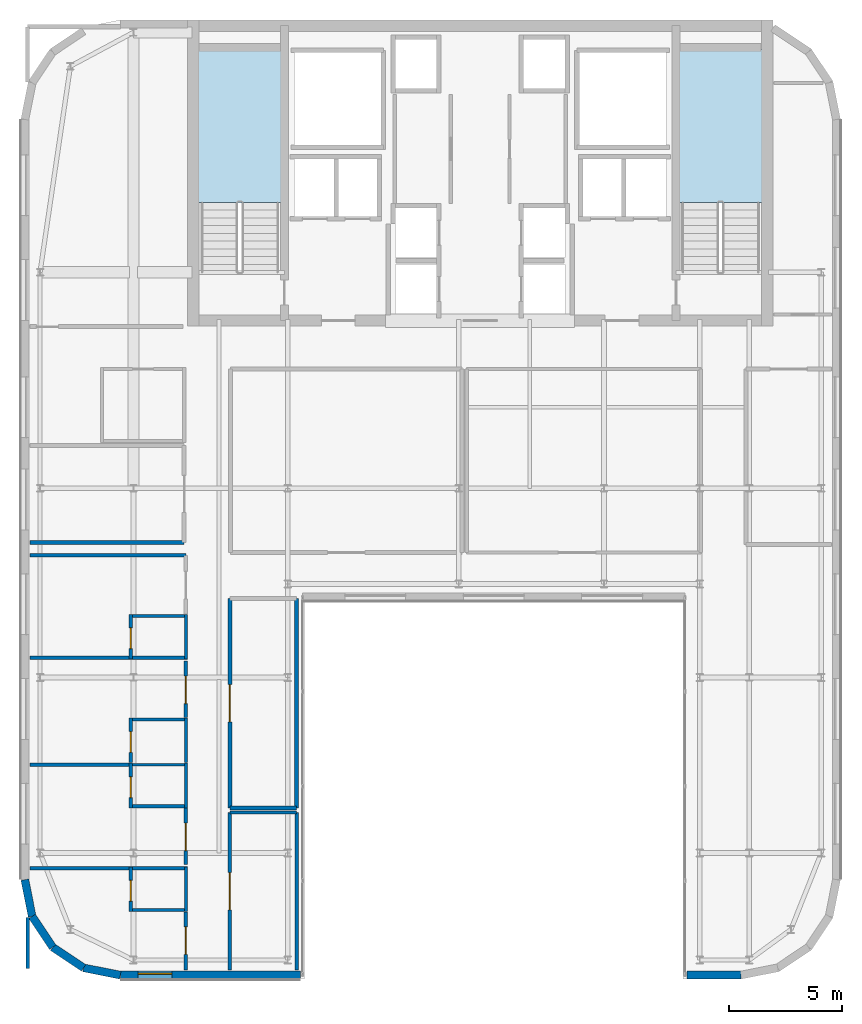
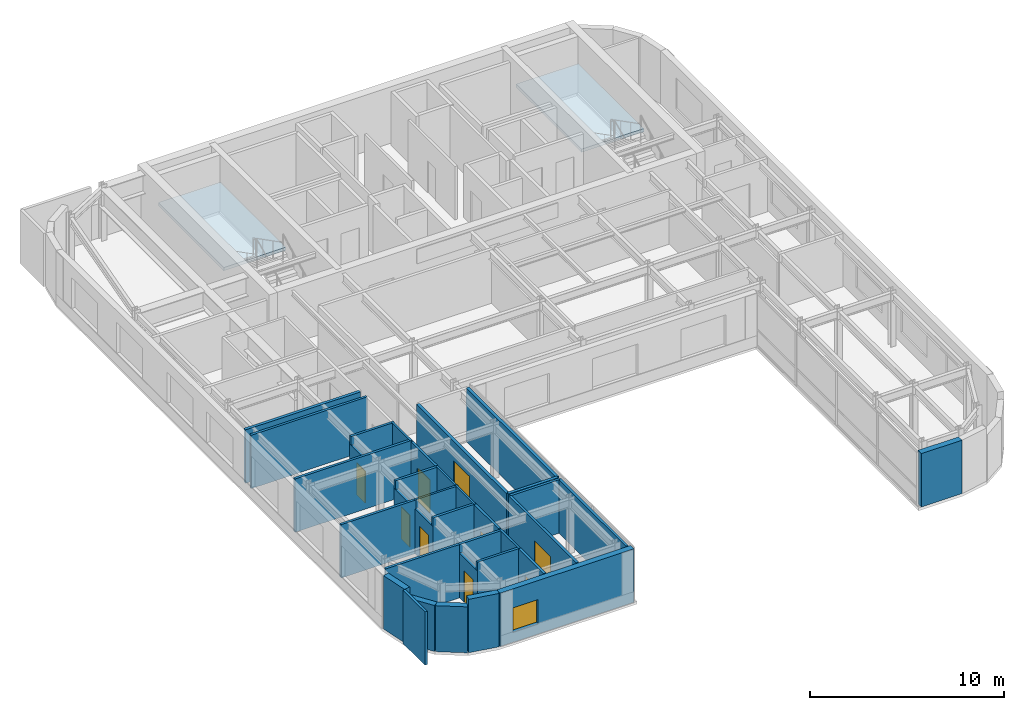
# One storey, part 13 of 20: 35 walls, 9 doors, 2 slabs, 1 window, 10 openings, 2 elements without a shape of their own.
"""IFC4 building model written with IfcOpenShell, lengths in metres."""

import ifcopenshell
import ifcopenshell.guid

model = None  # the IFC model being written
_history = None  # IfcOwnerHistory: only IFC2X3 demands one
_inside = {}  # id of a spatial element -> (the spatial element, [elements in it])
_under = {}  # id of a project, library or spatial element -> (it, [spatial elements below it])
_declared = {}  # id of a project -> (the project, [libraries it declares])
_typed = {}  # id of a type object -> (the type object, [elements of that type])
_made_of = {}  # id of a material, layer set ... -> (it, [elements and type objects made of it])


def new_model(schema):
    """Start an empty IFC model of exactly this schema.

    Asked for "IFC4X3", IfcOpenShell would pick the latest addendum, in which some entities
    have other attributes; the version numbers below select the first issue.
    IFC2X3 requires an IfcOwnerHistory on every rooted entity: one is made here for all.
    """
    global model, _history
    if schema == "IFC4X3":
        model = ifcopenshell.file(schema_version=(4, 3, 0, 0))
    else:
        model = ifcopenshell.file(schema=schema)
    _inside.clear()
    _under.clear()
    _declared.clear()
    _typed.clear()
    _made_of.clear()
    _history = None
    if model.schema == "IFC2X3":
        org = make("IfcOrganization", Name="unknown")
        user = make(
            "IfcPersonAndOrganization",
            ThePerson=make("IfcPerson", FamilyName="unknown"),
            TheOrganization=org,
        )
        app = make(
            "IfcApplication",
            ApplicationDeveloper=org,
            Version="unknown",
            ApplicationFullName="unknown",
            ApplicationIdentifier="unknown",
        )
        _history = make(
            "IfcOwnerHistory",
            OwningUser=user,
            OwningApplication=app,
            ChangeAction="ADDED",
            CreationDate=0,
        )
    return model


def make(cls, **values):
    """One entity of the class cls with the attributes given. An attribute that is None is left unset."""
    return model.create_entity(
        cls, **{name: value for name, value in values.items() if value is not None}
    )


def rooted(cls, **values):
    """An entity with a GlobalId (a new one), such as an element, a storey or a relation."""
    return make(cls, GlobalId=ifcopenshell.guid.new(), OwnerHistory=_history, **values)


def si_unit(unit_type, name, prefix=None):
    """IfcSIUnit, for example si_unit("LENGTHUNIT", "METRE", prefix="MILLI")."""
    return make("IfcSIUnit", UnitType=unit_type, Prefix=prefix, Name=name)


def assignment(units):
    """IfcUnitAssignment: the units of a project."""
    return None if units is None else make("IfcUnitAssignment", Units=units)


def point(xyz):
    """IfcCartesianPoint."""
    return None if xyz is None else make("IfcCartesianPoint", Coordinates=xyz)


def direction(xyz):
    """IfcDirection."""
    return None if xyz is None else make("IfcDirection", DirectionRatios=xyz)


def frame(location, z_axis=None, x_axis=None):
    """IfcAxis2Placement3D, a coordinate frame: its origin and axes. An axis left out is left unset."""
    return make(
        "IfcAxis2Placement3D",
        Location=point(location),
        Axis=direction(z_axis),
        RefDirection=direction(x_axis),
    )


def frame_2d(location, x_axis=None):
    """IfcAxis2Placement2D, a coordinate frame in the plane: its origin and x axis."""
    return make(
        "IfcAxis2Placement2D", Location=point(location), RefDirection=direction(x_axis)
    )


def origin():
    """The frame at (0, 0, 0) with its axes left unset."""
    return frame((0.0, 0.0, 0.0))


def place(relative_to, where):
    """IfcLocalPlacement: puts the frame where relative to a parent placement (None: the world)."""
    return make(
        "IfcLocalPlacement", PlacementRelTo=relative_to, RelativePlacement=where
    )


def context(
    kind, dimensions, precision=None, world=None, true_north=None, identifier=None
):
    """IfcGeometricRepresentationContext, for example the 3D "Model" context."""
    return make(
        "IfcGeometricRepresentationContext",
        ContextIdentifier=identifier,
        ContextType=kind,
        CoordinateSpaceDimension=dimensions,
        Precision=precision,
        WorldCoordinateSystem=world,
        TrueNorth=true_north,
    )


def subcontext(parent, identifier, kind, view, scale=None):
    """IfcGeometricRepresentationSubContext, for example "Body" below "Model"."""
    return make(
        "IfcGeometricRepresentationSubContext",
        ContextIdentifier=identifier,
        ContextType=kind,
        ParentContext=parent,
        TargetScale=scale,
        TargetView=view,
    )


def project(units=None, contexts=None):
    """IfcProject with its units and contexts."""
    return rooted(
        "IfcProject",
        Name="project",
        RepresentationContexts=contexts,
        UnitsInContext=assignment(units),
    )


def spatial(cls, under=None, at=None, **own):
    """A site, building, storey or space (cls), placed at a placement, below another one or the project."""
    s = rooted(cls, ObjectPlacement=at, **own)
    if under is not None:
        _under.setdefault(under.id(), (under, []))[1].append(s)
    return s


def polyline(points):
    """IfcPolyline through the points."""
    return make("IfcPolyline", Points=[point(p) for p in points])


def profile(cls, at=None, kind="AREA", **sizes):
    """A parametric profile (cls). Its sizes go by their IFC names, for example OverallWidth=200.0."""
    return make(cls, ProfileType=kind, Position=at, **sizes)


def rectangle(**sizes):
    """IfcRectangleProfileDef."""
    return profile("IfcRectangleProfileDef", **sizes)


def outline(outer, holes=None, kind="AREA"):
    """IfcArbitraryClosedProfileDef: a profile drawn as a closed curve; with holes, ...WithVoids."""
    if holes is None:
        return make("IfcArbitraryClosedProfileDef", ProfileType=kind, OuterCurve=outer)
    return make(
        "IfcArbitraryProfileDefWithVoids",
        ProfileType=kind,
        OuterCurve=outer,
        InnerCurves=holes,
    )


def extrude(swept, where, along, depth):
    """IfcExtrudedAreaSolid: the profile swept, set in the frame where, extruded along a direction by depth."""
    return make(
        "IfcExtrudedAreaSolid",
        SweptArea=swept,
        Position=where,
        ExtrudedDirection=direction(along),
        Depth=depth,
    )


def shape(context_of_items, identifier, shape_type, items):
    """IfcShapeRepresentation: the items that make up one representation, for example the "Body"."""
    return make(
        "IfcShapeRepresentation",
        ContextOfItems=context_of_items,
        RepresentationIdentifier=identifier,
        RepresentationType=shape_type,
        Items=items,
    )


def source(mapping_origin, context_of_items, identifier, shape_type, items):
    """IfcRepresentationMap: a shape defined once, which mapped items show again and again."""
    return make(
        "IfcRepresentationMap",
        MappingOrigin=mapping_origin,
        MappedRepresentation=shape(context_of_items, identifier, shape_type, items),
    )


def transform(
    local_origin,
    x_axis=None,
    y_axis=None,
    z_axis=None,
    scale=None,
    scale2=None,
    scale3=None,
    uniform=True,
):
    """IfcCartesianTransformationOperator3D, or its non-uniform kind. x_axis, y_axis, z_axis: its Axis1, 2, 3."""
    if uniform:
        return make(
            "IfcCartesianTransformationOperator3D",
            Axis1=direction(x_axis),
            Axis2=direction(y_axis),
            LocalOrigin=point(local_origin),
            Scale=scale,
            Axis3=direction(z_axis),
        )
    return make(
        "IfcCartesianTransformationOperator3DnonUniform",
        Axis1=direction(x_axis),
        Axis2=direction(y_axis),
        LocalOrigin=point(local_origin),
        Scale=scale,
        Axis3=direction(z_axis),
        Scale2=scale2,
        Scale3=scale3,
    )


def mapped(mapping_source, mapping_target):
    """IfcMappedItem: shows the shape of a source again, moved by a transform."""
    return make(
        "IfcMappedItem", MappingSource=mapping_source, MappingTarget=mapping_target
    )


def material(Name=None, Category=None):
    """IfcMaterial."""
    return make("IfcMaterial", Name=Name, Category=Category)


def layer(
    of_material, thickness, ventilated=None, Name=None, Category=None, Priority=None
):
    """IfcMaterialLayer: one layer of a wall or slab, of a material (None: an air gap)."""
    return make(
        "IfcMaterialLayer",
        Material=of_material,
        LayerThickness=thickness,
        IsVentilated=ventilated,
        Name=Name,
        Category=Category,
        Priority=Priority,
    )


def layer_set(layers, Name=None):
    """IfcMaterialLayerSet."""
    return make("IfcMaterialLayerSet", MaterialLayers=layers, LayerSetName=Name)


def made_of(thing, what):
    """Note that an element or type object is made of a material, layer set ...; save() writes the relation."""
    if what is not None:
        _made_of.setdefault(what.id(), (what, []))[1].append(thing)
    return thing


def type_object(cls, material=None, **own):
    """A type object (cls), such as IfcWallType, which elements share."""
    return made_of(rooted(cls, **own), material)


def type_shapes(of_type, sources):
    """Give a type object the sources (RepresentationMaps) that its elements show as mapped items."""
    of_type.RepresentationMaps = sources


def element(
    cls,
    number,
    at=None,
    inside=None,
    cuts=None,
    type_object=None,
    material=None,
    context=None,
    identifier="Body",
    shape_type=None,
    held_by="IfcProductDefinitionShape",
    body=None,
    shapes=None,
    **own,
):
    """One element of the class cls, such as IfcWall. Its Tag is "e" and its number.

    at: its placement. inside: the storey or other place that contains it. cuts: it is an
    opening in that element (IfcRelVoidsElement). A single representation is given by context,
    identifier, shape_type and body (its items); several are given by shapes. held_by: the class
    of the entity that holds the representations. save() writes the other relations.
    """
    e = rooted(cls, Tag="e%d" % number, ObjectPlacement=at, **own)
    if body is not None:
        shapes = [shape(context, identifier, shape_type, body)]
    if shapes is not None:
        e.Representation = make(held_by, Representations=shapes)
    if inside is not None:
        _inside.setdefault(inside.id(), (inside, []))[1].append(e)
    if cuts is not None:
        rooted(
            "IfcRelVoidsElement", RelatingBuildingElement=cuts, RelatedOpeningElement=e
        )
    if type_object is not None:
        _typed.setdefault(type_object.id(), (type_object, []))[1].append(e)
    return made_of(e, material)


def fill(opening, filler):
    """IfcRelFillsElement: the door or window that sits in an opening."""
    return rooted(
        "IfcRelFillsElement",
        RelatingOpeningElement=opening,
        RelatedBuildingElement=filler,
    )


def aggregate(whole, parts):
    """IfcRelAggregates: a whole, such as a stair, and the parts it consists of."""
    return rooted("IfcRelAggregates", RelatingObject=whole, RelatedObjects=parts)


def save(model, path):
    """Write the relations noted so far, then the file.

    IfcRelAggregates (storeys below a building ...), IfcRelContainedInSpatialStructure (elements
    in a storey), IfcRelDefinesByType, IfcRelAssociatesMaterial and IfcRelDeclares: one each for
    every whole, place, type object, material and project.
    """
    for whole, parts in _under.values():
        aggregate(whole, parts)
    for where, things in _inside.values():
        rooted(
            "IfcRelContainedInSpatialStructure",
            RelatedElements=things,
            RelatingStructure=where,
        )
    for kind, things in _typed.values():
        rooted("IfcRelDefinesByType", RelatedObjects=things, RelatingType=kind)
    for what, things in _made_of.values():
        rooted("IfcRelAssociatesMaterial", RelatedObjects=things, RelatingMaterial=what)
    for by, libraries in _declared.values():
        rooted("IfcRelDeclares", RelatingContext=by, RelatedDefinitions=libraries)
    model.write(path)


model = new_model("IFC4")

# Units and contexts
model_context = context("Model", 3, precision=1e-05, world=origin(), true_north=direction((0.0, 1.0)))
body_context = subcontext(model_context, "Body", "Model", "MODEL_VIEW")
ifc_project = project(units=[si_unit("LENGTHUNIT", "METRE"), si_unit("AREAUNIT", "SQUARE_METRE"), si_unit("VOLUMEUNIT", "CUBIC_METRE"), si_unit("PLANEANGLEUNIT", "RADIAN"), si_unit("MASSUNIT", "GRAM", prefix="KILO")], contexts=[model_context])

# Site, building, storey
site_placement = place(None, origin())
site = spatial("IfcSite", under=ifc_project, at=site_placement, CompositionType="ELEMENT")
building_placement = place(site_placement, origin())
building = spatial("IfcBuilding", under=site, at=building_placement, Name="Tolvann Quenvar Hotel", CompositionType="ELEMENT")
storey_placement = place(building_placement, frame((0.0, 0.0, 248.75)))
storey = spatial("IfcBuildingStorey", under=building, at=storey_placement, Name="L66", CompositionType="ELEMENT", Elevation=248.75)

# Stair, slab
ifc_material_1 = material(Name="Concrete N40 (40 MPa)", Category="concrete")
stair_type = type_object("IfcStairType", Name="STAIR", PredefinedType="HALF_TURN_STAIR", material=ifc_material_1)
stair_1_placement = place(storey_placement, origin())
stair_1 = element("IfcStair", 1, at=stair_1_placement, inside=storey, type_object=stair_type, Name="L66 ST-C1", PredefinedType="HALF_TURN_STAIR")
ifc_layer_1 = layer(ifc_material_1, 0.199951171875)
ifc_layer_set_1 = layer_set([ifc_layer_1], Name="Concrete N40 (40 MPa)")
slab_type = type_object("IfcSlabType", Name="SLAB_LANDING", PredefinedType="LANDING", material=ifc_layer_set_1)
slab_1_placement = place(storey_placement, frame((0.0, 0.0, 1.574951171875)))
slab_1 = element("IfcSlab", 2, at=slab_1_placement, type_object=slab_type, Name="ST-C1 landing 1", PredefinedType="LANDING", context=body_context, shape_type="SweptSolid", body=[
    extrude(outline(polyline([(14.179931640625, 37.10498046875), (14.179931640625, 43.8798828125), (10.469970703125, 43.8798828125), (10.469970703125, 37.10498046875), (14.179931640625, 37.10498046875)])), origin(), (0.0, 0.0, 1.0), 0.199951171875),
])
aggregate(stair_1, [slab_1])

stair_2_placement = place(storey_placement, origin())
stair_2 = element("IfcStair", 3, at=stair_2_placement, inside=storey, type_object=stair_type, Name="L66 ST-C2", PredefinedType="HALF_TURN_STAIR")
slab_2_placement = place(storey_placement, frame((0.0, 0.0, 1.574951171875)))
slab_2 = element("IfcSlab", 4, at=slab_2_placement, type_object=slab_type, Name="ST-C2 landing 1", PredefinedType="LANDING", context=body_context, shape_type="SweptSolid", body=[
    extrude(outline(polyline([(35.530029296875, 37.10498046875), (35.530029296875, 43.8798828125), (31.820068359375, 43.8798828125), (31.820068359375, 37.10498046875), (35.530029296875, 37.10498046875)])), origin(), (0.0, 0.0, 1.0), 0.199951171875),
])
aggregate(stair_2, [slab_2])

# Walls
ifc_material_2 = material(Name="Kiln-fired red and buff architectural clay brickwork and terracotta masonry", Category="masonry")
ifc_layer_2 = layer(ifc_material_2, 0.35009765625)
ifc_layer_set_2 = layer_set([ifc_layer_2], Name="Kiln-fired red and buff architectural clay brickwork and terracotta masonry")
wall_type_1 = type_object("IfcWallType", Name="WALL_EXT_BRICK_350", PredefinedType="SOLIDWALL", material=ifc_layer_set_2)
for number, where, z_axis, x_axis, name in (
    (5, (3.099609375, 5.384521484375, 0.0), (0.0, 0.0, 1.0), (0.555623290322, -0.831434158098, 0.0), "Exterior Chicago Brick Wall L66-E01"),
    (6, (4.014892578125, 4.014892578125, 0.0), (0.0, 0.0, 1.0), (0.831434158098, -0.555623290322, 0.0), "Exterior Chicago Brick Wall L66-E02"),
):
    element("IfcWall", number, at=place(storey_placement, frame(where, z_axis=z_axis, x_axis=x_axis)), inside=storey, type_object=wall_type_1, Name=name, PredefinedType="SOLIDWALL", context=body_context, shape_type="SweptSolid", body=[
        extrude(rectangle(XDim=1.647216796875, YDim=0.35009765625, at=frame_2d((0.82373046875, 0.0))), origin(), (0.0, 0.0, 1.0), 2.89990234375),
    ])
wall_1_placement = place(storey_placement, frame((5.384521484375, 3.099609375, 0.0), z_axis=(0.0, 0.0, 1.0), x_axis=(0.980788844421, -0.195072403631, 0.0)))
element("IfcWall", 7, at=wall_1_placement, inside=storey, type_object=wall_type_1, Name="Exterior Chicago Brick Wall L66-E03", PredefinedType="SOLIDWALL", context=body_context, shape_type="SweptSolid", body=[
    extrude(rectangle(XDim=1.66455078125, YDim=0.35009765625, at=frame_2d((0.832275390625, 0.0))), origin(), (0.0, 0.0, 1.0), 3.3701171875),
])

# Wall, opening, window
wall_2_placement = place(storey_placement, frame((7.01708984375, 2.77490234375, 0.0), z_axis=(0.0, 0.0, 1.0), x_axis=(1.0, 0.0, 0.0)))
wall_2 = element("IfcWall", 8, at=wall_2_placement, inside=storey, type_object=wall_type_1, Name="Exterior Chicago Brick Wall L66-E04", PredefinedType="SOLIDWALL", context=body_context, shape_type="SweptSolid", body=[
    extrude(rectangle(XDim=8.0078125, YDim=0.35009765625, at=frame_2d((4.00390625, 0.0))), origin(), (0.0, 0.0, 1.0), 3.3701171875),
])
opening_1_placement = place(wall_2_placement, frame((0.791015625, 0.0, 0.6201171875)))
opening_1 = element("IfcOpeningElement", 9, at=opening_1_placement, cuts=wall_2, Name="Opening W-08", PredefinedType="OPENING", context=body_context, shape_type="SweptSolid", body=[
    extrude(rectangle(XDim=1.5, YDim=1.550048828125, at=frame_2d((0.75, 0.77490234375))), frame((0.0, 0.18505859375, 0.0), z_axis=(0.0, -1.0, 0.0), x_axis=(1.0, 0.0, 0.0)), (0.0, 0.0, 1.0), 0.3701171875),
])
ifc_material_3 = material(Name="Thermally broken bronze-anodised aluminium frame with double low-E glazing", Category="aluminium")
window_type = type_object("IfcWindowType", Name="WIN_COR_1500x2050", PartitioningType="SINGLE_PANEL", PredefinedType="WINDOW", material=ifc_material_3)
shared_shape_1 = source(origin(), body_context, "Body", "SweptSolid", [
    extrude(rectangle(XDim=1.5, YDim=1.550048828125, at=frame_2d((0.75, 0.77490234375))), frame((0.0, 0.090087890625, 0.0), z_axis=(0.0, -1.0, 0.0), x_axis=(1.0, 0.0, 0.0)), (0.0, 0.0, 1.0), 0.06005859375),
])
type_shapes(window_type, [shared_shape_1])
window_placement = place(opening_1_placement, origin())
window = element("IfcWindow", 10, at=window_placement, inside=storey, type_object=window_type, Name="Chicago Window W-08 (EW-L66-E04-WD01)", OverallHeight=1.550048828125, OverallWidth=1.5, PartitioningType="SINGLE_PANEL", PredefinedType="WINDOW", context=body_context, shape_type="MappedRepresentation", body=[
    mapped(shared_shape_1, transform((0.0, 0.0, 0.0), x_axis=(1.0, 0.0, 0.0), y_axis=(0.0, 1.0, 0.0), z_axis=(0.0, 0.0, 1.0), scale=1.0)),
])
fill(opening_1, window)

# Walls
wall_3_placement = place(storey_placement, frame((32.175048828125, 2.77490234375, 0.0), z_axis=(0.0, 0.0, 1.0), x_axis=(1.0, 0.0, 0.0)))
element("IfcWall", 11, at=wall_3_placement, inside=storey, type_object=wall_type_1, Name="Exterior Chicago Brick Wall L66-E08", PredefinedType="SOLIDWALL", context=body_context, shape_type="SweptSolid", body=[
    extrude(rectangle(XDim=2.40771484375, YDim=0.35009765625, at=frame_2d((1.203857421875, 0.0))), origin(), (0.0, 0.0, 1.0), 3.3701171875),
])
wall_4_placement = place(storey_placement, frame((2.77490234375, 7.01708984375, 0.0), z_axis=(0.0, 0.0, 1.0), x_axis=(0.195072403631, -0.980788844421, 0.0)))
element("IfcWall", 12, at=wall_4_placement, inside=storey, type_object=wall_type_1, Name="Exterior Chicago Brick Wall L66-E24", PredefinedType="SOLIDWALL", context=body_context, shape_type="SweptSolid", body=[
    extrude(rectangle(XDim=1.66455078125, YDim=0.35009765625, at=frame_2d((0.832275390625, 0.0))), origin(), (0.0, 0.0, 1.0), 3.3701171875),
])
ifc_material_4 = material(Name="Acoustic twin-stud fire-rated gypsum plasterboard partition")
ifc_layer_3 = layer(ifc_material_4, 0.179931640625)
ifc_layer_set_3 = layer_set([ifc_layer_3], Name="Acoustic twin-stud fire-rated gypsum plasterboard partition")
wall_type_2 = type_object("IfcWallType", Name="WALL_PART_ACOUSTIC_180", PredefinedType="PARTITIONING", material=ifc_layer_set_3)
wall_5_placement = place(storey_placement, frame((11.8798828125, 10.199951171875, 0.0), z_axis=(0.0, 0.0, 1.0), x_axis=(1.0, 0.0, 0.0)))
element("IfcWall", 13, at=wall_5_placement, inside=storey, type_object=wall_type_2, Name="Interior Partition PT-SPC-L66-POVL-S", PredefinedType="PARTITIONING", context=body_context, shape_type="SweptSolid", body=[
    extrude(rectangle(XDim=2.97021484375, YDim=0.179931640625, at=frame_2d((1.485107421875, 0.0))), origin(), (0.0, 0.0, 1.0), 3.3701171875),
])

# Wall, opening, door
wall_6_placement = place(storey_placement, frame((11.8798828125, 10.199951171875, 0.0), z_axis=(0.0, 0.0, 1.0), x_axis=(0.0, 1.0, 0.0)))
wall_6 = element("IfcWall", 14, at=wall_6_placement, inside=storey, type_object=wall_type_2, Name="Interior Partition PT-SPC-L66-POVL-W", PredefinedType="PARTITIONING", context=body_context, shape_type="SweptSolid", body=[
    extrude(rectangle(XDim=9.300048828125, YDim=0.179931640625, at=frame_2d((4.64990234375, 0.0))), origin(), (0.0, 0.0, 1.0), 3.3701171875),
])
opening_2_placement = place(wall_6_placement, frame((3.824951171875, 0.0, 0.0)))
opening_2 = element("IfcOpeningElement", 15, at=opening_2_placement, cuts=wall_6, Name="Opening AD-01", PredefinedType="OPENING", context=body_context, shape_type="SweptSolid", body=[
    extrude(rectangle(XDim=1.64990234375, YDim=2.14990234375, at=frame_2d((0.824951171875, 1.074951171875))), frame((0.0, 0.10009765625, 0.0), z_axis=(0.0, -1.0, 0.0), x_axis=(1.0, 0.0, 0.0)), (0.0, 0.0, 1.0), 0.199951171875),
])
ifc_material_5 = material(Name="Solid-core American oak acoustic fire door leaf in steel frame", Category="steel")
door_type_1 = type_object("IfcDoorType", Name="DOOR_SALON_1650", OperationType="NOTDEFINED", PredefinedType="DOOR", material=ifc_material_5)
shared_shape_2 = source(origin(), body_context, "Body", "SweptSolid", [
    extrude(rectangle(XDim=1.64990234375, YDim=2.14990234375, at=frame_2d((0.824951171875, 1.074951171875))), frame((0.0, 0.02490234375, 0.0), z_axis=(0.0, -1.0, 0.0), x_axis=(1.0, 0.0, 0.0)), (0.0, 0.0, 1.0), 0.050048828125),
])
type_shapes(door_type_1, [shared_shape_2])
door_1_placement = place(opening_2_placement, origin())
door_1 = element("IfcDoor", 16, at=door_1_placement, inside=storey, type_object=door_type_1, Name="Interior Door DOOR-SPC-L66-POVL", OperationType="DOUBLE_DOOR_SINGLE_SWING", OverallHeight=2.14990234375, OverallWidth=1.64990234375, PredefinedType="DOOR", context=body_context, shape_type="MappedRepresentation", body=[
    mapped(shared_shape_2, transform((0.0, 0.0, 0.0), x_axis=(1.0, 0.0, 0.0), y_axis=(0.0, 1.0, 0.0), z_axis=(0.0, 0.0, 1.0), scale=1.0)),
])
fill(opening_2, door_1)

# Walls
wall_7_placement = place(storey_placement, frame((14.85009765625, 10.199951171875, 0.0), z_axis=(0.0, 0.0, 1.0), x_axis=(0.0, 1.0, 0.0)))
element("IfcWall", 17, at=wall_7_placement, inside=storey, type_object=wall_type_2, Name="Interior Partition PT-SPC-L66-POVL-E", PredefinedType="PARTITIONING", context=body_context, shape_type="SweptSolid", body=[
    extrude(rectangle(XDim=9.300048828125, YDim=0.179931640625, at=frame_2d((4.64990234375, 0.0))), origin(), (0.0, 0.0, 1.0), 3.3701171875),
])
wall_8_placement = place(storey_placement, frame((3.0048828125, 22.0, 0.0), z_axis=(0.0, 0.0, 1.0), x_axis=(1.0, 0.0, 0.0)))
element("IfcWall", 18, at=wall_8_placement, inside=storey, type_object=wall_type_2, Name="Interior Partition PT-SPC-L66-WCLNG-S", PredefinedType="PARTITIONING", context=body_context, shape_type="SweptSolid", body=[
    extrude(rectangle(XDim=6.84521484375, YDim=0.179931640625, at=frame_2d((3.422607421875, 0.0))), origin(), (0.0, 0.0, 1.0), 3.3701171875),
])
ifc_material_6 = material(Name="Moisture-resistant acoustic plumbing wall assembly")
ifc_layer_4 = layer(ifc_material_6, 0.1201171875)
ifc_layer_set_4 = layer_set([ifc_layer_4], Name="Moisture-resistant acoustic plumbing wall assembly")
wall_type_3 = type_object("IfcWallType", Name="WALL_PART_BATH_120", PredefinedType="PLUMBINGWALL", material=ifc_layer_set_4)
wall_9_placement = place(storey_placement, frame((9.929931640625, 5.60009765625, 0.0), z_axis=(0.0, 0.0, 1.0), x_axis=(0.0, 1.0, 0.0)))
element("IfcWall", 19, at=wall_9_placement, inside=storey, type_object=wall_type_3, Name="Non-Rated Plumbing Partition PT-SPC-L66-ENS-PW01-E", PredefinedType="PLUMBINGWALL", context=body_context, shape_type="SweptSolid", body=[
    extrude(rectangle(XDim=1.989990234375, YDim=0.1201171875, at=frame_2d((0.9951171875, 0.0))), origin(), (0.0, 0.0, 1.0), 3.3701171875),
])
wall_10_placement = place(storey_placement, frame((7.409912109375, 12.1201171875, 0.0), z_axis=(0.0, 0.0, 1.0), x_axis=(1.0, 0.0, 0.0)))
element("IfcWall", 20, at=wall_10_placement, inside=storey, type_object=wall_type_3, Name="Non-Rated Plumbing Partition PT-SPC-L66-ENS-PW02-N", PredefinedType="PLUMBINGWALL", context=body_context, shape_type="SweptSolid", body=[
    extrude(rectangle(XDim=2.590087890625, YDim=0.1201171875, at=frame_2d((1.294921875, 0.0))), origin(), (0.0, 0.0, 1.0), 3.3701171875),
])
for number, where, z_axis, x_axis, name in (
    (21, (9.929931640625, 10.199951171875, 0.0), (0.0, 0.0, 1.0), (0.0, 1.0, 0.0), "Non-Rated Plumbing Partition PT-SPC-L66-ENS-PW02-E"),
    (22, (9.929931640625, 12.2099609375, 0.0), (0.0, 0.0, 1.0), (0.0, 1.0, 0.0), "Non-Rated Plumbing Partition PT-SPC-L66-ENS-PW03-E"),
    (23, (9.929931640625, 16.81005859375, 0.0), (0.0, 0.0, 1.0), (0.0, 1.0, 0.0), "Non-Rated Plumbing Partition PT-SPC-L66-ENS-PW04-E"),
):
    element("IfcWall", number, at=place(storey_placement, frame(where, z_axis=z_axis, x_axis=x_axis)), inside=storey, type_object=wall_type_3, Name=name, PredefinedType="PLUMBINGWALL", context=body_context, shape_type="SweptSolid", body=[
        extrude(rectangle(XDim=1.989990234375, YDim=0.1201171875, at=frame_2d((0.9951171875, 0.0))), origin(), (0.0, 0.0, 1.0), 3.3701171875),
    ])

# Wall, opening, door
ifc_layer_5 = layer(ifc_material_4, 0.14990234375)
ifc_layer_set_5 = layer_set([ifc_layer_5], Name="Acoustic twin-stud fire-rated gypsum plasterboard partition")
wall_type_4 = type_object("IfcWallType", Name="WALL_PART_SUITE_150", PredefinedType="PARTITIONING", material=ifc_layer_set_5)
wall_11_placement = place(storey_placement, frame((7.47998046875, 5.60009765625, 0.0), z_axis=(0.0, 0.0, 1.0), x_axis=(0.0, 1.0, 0.0)))
wall_11 = element("IfcWall", 24, at=wall_11_placement, inside=storey, type_object=wall_type_4, Name="Interior Partition PT-SPC-L66-ENS-PW01-ENT", PredefinedType="PARTITIONING", context=body_context, shape_type="SweptSolid", body=[
    extrude(rectangle(XDim=1.989990234375, YDim=0.14990234375, at=frame_2d((0.9951171875, 0.0))), origin(), (0.0, 0.0, 1.0), 2.826904296875),
])
opening_3_placement = place(wall_11_placement, frame((0.465087890625, 0.0, 0.0)))
opening_3 = element("IfcOpeningElement", 25, at=opening_3_placement, cuts=wall_11, Name="Opening WD-01", PredefinedType="OPENING", context=body_context, shape_type="SweptSolid", body=[
    extrude(rectangle(XDim=0.919921875, YDim=2.010009765625, at=frame_2d((0.4599609375, 1.0048828125))), frame((0.0, 0.0849609375, 0.0), z_axis=(0.0, -1.0, 0.0), x_axis=(1.0, 0.0, 0.0)), (0.0, 0.0, 1.0), 0.169921875),
])
door_type_2 = type_object("IfcDoorType", Name="DOOR_WC_920", OperationType="NOTDEFINED", PredefinedType="DOOR", material=ifc_material_5)
shared_shape_3 = source(origin(), body_context, "Body", "SweptSolid", [
    extrude(rectangle(XDim=0.919921875, YDim=2.010009765625, at=frame_2d((0.4599609375, 1.0048828125))), frame((0.0, 0.02490234375, 0.0), z_axis=(0.0, -1.0, 0.0), x_axis=(1.0, 0.0, 0.0)), (0.0, 0.0, 1.0), 0.050048828125),
])
type_shapes(door_type_2, [shared_shape_3])
door_2_placement = place(opening_3_placement, origin())
door_2 = element("IfcDoor", 26, at=door_2_placement, inside=storey, type_object=door_type_2, Name="Interior Door DOOR-SPC-L66-ENS-PW01", OperationType="SINGLE_SWING_LEFT", OverallHeight=2.010009765625, OverallWidth=0.919921875, PredefinedType="DOOR", context=body_context, shape_type="MappedRepresentation", body=[
    mapped(shared_shape_3, transform((0.0, 0.0, 0.0), x_axis=(1.0, 0.0, 0.0), y_axis=(0.0, 1.0, 0.0), z_axis=(0.0, 0.0, 1.0), scale=1.0)),
])
fill(opening_3, door_2)

# Walls
for number, where, z_axis, x_axis, name in (
    (27, (7.409912109375, 5.669921875, 0.0), (0.0, 0.0, 1.0), (1.0, 0.0, 0.0), "Interior Partition PT-SPC-L66-ENS-PW01-S"),
    (28, (7.409912109375, 7.52001953125, 0.0), (0.0, 0.0, 1.0), (1.0, 0.0, 0.0), "Interior Partition PT-SPC-L66-ENS-PW01-N"),
):
    element("IfcWall", number, at=place(storey_placement, frame(where, z_axis=z_axis, x_axis=x_axis)), inside=storey, type_object=wall_type_4, Name=name, PredefinedType="PARTITIONING", context=body_context, shape_type="SweptSolid", body=[
        extrude(rectangle(XDim=2.590087890625, YDim=0.14990234375, at=frame_2d((1.294921875, 0.0))), origin(), (0.0, 0.0, 1.0), 3.3701171875),
    ])

# Wall, opening, door
wall_12_placement = place(storey_placement, frame((7.47998046875, 10.199951171875, 0.0), z_axis=(0.0, 0.0, 1.0), x_axis=(0.0, 1.0, 0.0)))
wall_12 = element("IfcWall", 29, at=wall_12_placement, inside=storey, type_object=wall_type_4, Name="Interior Partition PT-SPC-L66-ENS-PW02-ENT", PredefinedType="PARTITIONING", context=body_context, shape_type="SweptSolid", body=[
    extrude(rectangle(XDim=1.989990234375, YDim=0.14990234375, at=frame_2d((0.9951171875, 0.0))), origin(), (0.0, 0.0, 1.0), 2.826904296875),
])
opening_4_placement = place(wall_12_placement, frame((0.465087890625, 0.0, 0.0)))
opening_4 = element("IfcOpeningElement", 30, at=opening_4_placement, cuts=wall_12, Name="Opening WD-01", PredefinedType="OPENING", context=body_context, shape_type="SweptSolid", body=[
    extrude(rectangle(XDim=0.919921875, YDim=2.010009765625, at=frame_2d((0.4599609375, 1.0048828125))), frame((0.0, 0.0849609375, 0.0), z_axis=(0.0, -1.0, 0.0), x_axis=(1.0, 0.0, 0.0)), (0.0, 0.0, 1.0), 0.169921875),
])
door_3_placement = place(opening_4_placement, origin())
door_3 = element("IfcDoor", 31, at=door_3_placement, inside=storey, type_object=door_type_2, Name="Interior Door DOOR-SPC-L66-ENS-PW02", OperationType="SINGLE_SWING_RIGHT", OverallHeight=2.010009765625, OverallWidth=0.919921875, PredefinedType="DOOR", context=body_context, shape_type="MappedRepresentation", body=[
    mapped(shared_shape_3, transform((0.0, 0.0, 0.0), x_axis=(1.0, 0.0, 0.0), y_axis=(0.0, 1.0, 0.0), z_axis=(0.0, 0.0, 1.0), scale=1.0)),
])
fill(opening_4, door_3)

# Wall
wall_13_placement = place(storey_placement, frame((7.409912109375, 10.27001953125, 0.0), z_axis=(0.0, 0.0, 1.0), x_axis=(1.0, 0.0, 0.0)))
element("IfcWall", 32, at=wall_13_placement, inside=storey, type_object=wall_type_4, Name="Interior Partition PT-SPC-L66-ENS-PW02-S", PredefinedType="PARTITIONING", context=body_context, shape_type="SweptSolid", body=[
    extrude(rectangle(XDim=2.590087890625, YDim=0.14990234375, at=frame_2d((1.294921875, 0.0))), origin(), (0.0, 0.0, 1.0), 3.3701171875),
])

# Wall, opening, door
wall_14_placement = place(storey_placement, frame((7.47998046875, 12.2099609375, 0.0), z_axis=(0.0, 0.0, 1.0), x_axis=(0.0, 1.0, 0.0)))
wall_14 = element("IfcWall", 33, at=wall_14_placement, inside=storey, type_object=wall_type_4, Name="Interior Partition PT-SPC-L66-ENS-PW03-ENT", PredefinedType="PARTITIONING", context=body_context, shape_type="SweptSolid", body=[
    extrude(rectangle(XDim=1.989990234375, YDim=0.14990234375, at=frame_2d((0.9951171875, 0.0))), origin(), (0.0, 0.0, 1.0), 2.826904296875),
])
opening_5_placement = place(wall_14_placement, frame((0.465087890625, 0.0, 0.0)))
opening_5 = element("IfcOpeningElement", 34, at=opening_5_placement, cuts=wall_14, Name="Opening WD-01", PredefinedType="OPENING", context=body_context, shape_type="SweptSolid", body=[
    extrude(rectangle(XDim=0.919921875, YDim=2.010009765625, at=frame_2d((0.4599609375, 1.0048828125))), frame((0.0, 0.0849609375, 0.0), z_axis=(0.0, -1.0, 0.0), x_axis=(1.0, 0.0, 0.0)), (0.0, 0.0, 1.0), 0.169921875),
])
door_4_placement = place(opening_5_placement, origin())
door_4 = element("IfcDoor", 35, at=door_4_placement, inside=storey, type_object=door_type_2, Name="Interior Door DOOR-SPC-L66-ENS-PW03", OperationType="SINGLE_SWING_LEFT", OverallHeight=2.010009765625, OverallWidth=0.919921875, PredefinedType="DOOR", context=body_context, shape_type="MappedRepresentation", body=[
    mapped(shared_shape_3, transform((0.0, 0.0, 0.0), x_axis=(1.0, 0.0, 0.0), y_axis=(0.0, 1.0, 0.0), z_axis=(0.0, 0.0, 1.0), scale=1.0)),
])
fill(opening_5, door_4)

# Wall
wall_15_placement = place(storey_placement, frame((7.409912109375, 14.1298828125, 0.0), z_axis=(0.0, 0.0, 1.0), x_axis=(1.0, 0.0, 0.0)))
element("IfcWall", 36, at=wall_15_placement, inside=storey, type_object=wall_type_4, Name="Interior Partition PT-SPC-L66-ENS-PW03-N", PredefinedType="PARTITIONING", context=body_context, shape_type="SweptSolid", body=[
    extrude(rectangle(XDim=2.590087890625, YDim=0.14990234375, at=frame_2d((1.294921875, 0.0))), origin(), (0.0, 0.0, 1.0), 3.3701171875),
])

# Wall, opening, door
wall_16_placement = place(storey_placement, frame((7.47998046875, 16.81005859375, 0.0), z_axis=(0.0, 0.0, 1.0), x_axis=(0.0, 1.0, 0.0)))
wall_16 = element("IfcWall", 37, at=wall_16_placement, inside=storey, type_object=wall_type_4, Name="Interior Partition PT-SPC-L66-ENS-PW04-ENT", PredefinedType="PARTITIONING", context=body_context, shape_type="SweptSolid", body=[
    extrude(rectangle(XDim=1.989990234375, YDim=0.14990234375, at=frame_2d((0.9951171875, 0.0))), origin(), (0.0, 0.0, 1.0), 2.826904296875),
])
opening_6_placement = place(wall_16_placement, frame((0.465087890625, 0.0, 0.0)))
opening_6 = element("IfcOpeningElement", 38, at=opening_6_placement, cuts=wall_16, Name="Opening WD-01", PredefinedType="OPENING", context=body_context, shape_type="SweptSolid", body=[
    extrude(rectangle(XDim=0.919921875, YDim=2.010009765625, at=frame_2d((0.4599609375, 1.0048828125))), frame((0.0, 0.0849609375, 0.0), z_axis=(0.0, -1.0, 0.0), x_axis=(1.0, 0.0, 0.0)), (0.0, 0.0, 1.0), 0.169921875),
])
door_5_placement = place(opening_6_placement, origin())
door_5 = element("IfcDoor", 39, at=door_5_placement, inside=storey, type_object=door_type_2, Name="Interior Door DOOR-SPC-L66-ENS-PW04", OperationType="SINGLE_SWING_RIGHT", OverallHeight=2.010009765625, OverallWidth=0.919921875, PredefinedType="DOOR", context=body_context, shape_type="MappedRepresentation", body=[
    mapped(shared_shape_3, transform((0.0, 0.0, 0.0), x_axis=(1.0, 0.0, 0.0), y_axis=(0.0, 1.0, 0.0), z_axis=(0.0, 0.0, 1.0), scale=1.0)),
])
fill(opening_6, door_5)

# Walls
wall_17_placement = place(storey_placement, frame((3.0048828125, 16.8798828125, 0.0), z_axis=(0.0, 0.0, 1.0), x_axis=(1.0, 0.0, 0.0)))
element("IfcWall", 40, at=wall_17_placement, inside=storey, type_object=wall_type_4, Name="Interior Partition PT-SPC-L66-ENS-PW04-S", PredefinedType="PARTITIONING", context=body_context, shape_type="SweptSolid", body=[
    extrude(rectangle(XDim=6.9951171875, YDim=0.14990234375, at=frame_2d((3.49755859375, 0.0))), origin(), (0.0, 0.0, 1.0), 3.3701171875),
])
wall_18_placement = place(storey_placement, frame((7.409912109375, 18.72998046875, 0.0), z_axis=(0.0, 0.0, 1.0), x_axis=(1.0, 0.0, 0.0)))
element("IfcWall", 41, at=wall_18_placement, inside=storey, type_object=wall_type_4, Name="Interior Partition PT-SPC-L66-ENS-PW04-N", PredefinedType="PARTITIONING", context=body_context, shape_type="SweptSolid", body=[
    extrude(rectangle(XDim=2.590087890625, YDim=0.14990234375, at=frame_2d((1.294921875, 0.0))), origin(), (0.0, 0.0, 1.0), 3.3701171875),
])

# Wall, opening, door
wall_19_placement = place(storey_placement, frame((9.929931640625, 3.0048828125, 0.0), z_axis=(0.0, 0.0, 1.0), x_axis=(0.0, 1.0, 0.0)))
wall_19 = element("IfcWall", 42, at=wall_19_placement, inside=storey, type_object=wall_type_4, Name="Interior Partition PT-SPC-L66-RM-PW01-ENT", PredefinedType="PARTITIONING", context=body_context, shape_type="SweptSolid", body=[
    extrude(rectangle(XDim=2.585205078125, YDim=0.14990234375, at=frame_2d((1.29248046875, 0.0))), origin(), (0.0, 0.0, 1.0), 3.3701171875),
])
opening_7_placement = place(wall_19_placement, frame((0.68994140625, 0.0, 0.0)))
opening_7 = element("IfcOpeningElement", 43, at=opening_7_placement, cuts=wall_19, Name="Opening SD-02", PredefinedType="OPENING", context=body_context, shape_type="SweptSolid", body=[
    extrude(rectangle(XDim=1.219970703125, YDim=2.080078125, at=frame_2d((0.60986328125, 1.0400390625))), frame((0.0, 0.0849609375, 0.0), z_axis=(0.0, -1.0, 0.0), x_axis=(1.0, 0.0, 0.0)), (0.0, 0.0, 1.0), 0.169921875),
])
door_type_3 = type_object("IfcDoorType", Name="DOOR_VIP_1220", OperationType="NOTDEFINED", PredefinedType="DOOR", material=ifc_material_5)
shared_shape_4 = source(origin(), body_context, "Body", "SweptSolid", [
    extrude(rectangle(XDim=1.219970703125, YDim=2.080078125, at=frame_2d((0.60986328125, 1.0400390625))), frame((0.0, 0.02490234375, 0.0), z_axis=(0.0, -1.0, 0.0), x_axis=(1.0, 0.0, 0.0)), (0.0, 0.0, 1.0), 0.050048828125),
])
type_shapes(door_type_3, [shared_shape_4])
door_6_placement = place(opening_7_placement, origin())
door_6 = element("IfcDoor", 44, at=door_6_placement, inside=storey, type_object=door_type_3, Name="Interior Door DOOR-SPC-L66-RM-PW01", OperationType="SINGLE_SWING_LEFT", OverallHeight=2.080078125, OverallWidth=1.219970703125, PredefinedType="DOOR", context=body_context, shape_type="MappedRepresentation", body=[
    mapped(shared_shape_4, transform((0.0, 0.0, 0.0), x_axis=(1.0, 0.0, 0.0), y_axis=(0.0, 1.0, 0.0), z_axis=(0.0, 0.0, 1.0), scale=1.0)),
])
fill(opening_7, door_6)

# Walls
wall_20_placement = place(storey_placement, frame((3.0048828125, 7.52001953125, 0.0), z_axis=(0.0, 0.0, 1.0), x_axis=(1.0, 0.0, 0.0)))
element("IfcWall", 45, at=wall_20_placement, inside=storey, type_object=wall_type_4, Name="Interior Partition PT-SPC-L66-RM-PW01-E5", PredefinedType="PARTITIONING", context=body_context, shape_type="SweptSolid", body=[
    extrude(rectangle(XDim=4.455078125, YDim=0.14990234375, at=frame_2d((2.2275390625, 0.0))), origin(), (0.0, 0.0, 1.0), 3.3701171875),
])
wall_21_placement = place(storey_placement, frame((2.89990234375, 3.080078125, 0.0), z_axis=(0.0, 0.0, 1.0), x_axis=(0.0, 1.0, 0.0)))
element("IfcWall", 46, at=wall_21_placement, inside=storey, type_object=wall_type_4, Name="Interior Partition PT-SPC-L66-RM-PW01-E6", PredefinedType="PARTITIONING", context=body_context, shape_type="SweptSolid", body=[
    extrude(rectangle(XDim=2.264892578125, YDim=0.14990234375, at=frame_2d((1.13232421875, 0.0))), origin(), (0.0, 0.0, 1.0), 3.3701171875),
])

# Wall, opening, door
wall_22_placement = place(storey_placement, frame((9.929931640625, 7.679931640625, 0.0), z_axis=(0.0, 0.0, 1.0), x_axis=(0.0, 1.0, 0.0)))
wall_22 = element("IfcWall", 47, at=wall_22_placement, inside=storey, type_object=wall_type_4, Name="Interior Partition PT-SPC-L66-RM-PW02-ENT", PredefinedType="PARTITIONING", context=body_context, shape_type="SweptSolid", body=[
    extrude(rectangle(XDim=2.510009765625, YDim=0.14990234375, at=frame_2d((1.2548828125, 0.0))), origin(), (0.0, 0.0, 1.0), 3.3701171875),
])
opening_8_placement = place(wall_22_placement, frame((0.625, 0.0, 0.0)))
opening_8 = element("IfcOpeningElement", 48, at=opening_8_placement, cuts=wall_22, Name="Opening SD-02", PredefinedType="OPENING", context=body_context, shape_type="SweptSolid", body=[
    extrude(rectangle(XDim=1.219970703125, YDim=2.080078125, at=frame_2d((0.60986328125, 1.0400390625))), frame((0.0, 0.0849609375, 0.0), z_axis=(0.0, -1.0, 0.0), x_axis=(1.0, 0.0, 0.0)), (0.0, 0.0, 1.0), 0.169921875),
])
door_7_placement = place(opening_8_placement, origin())
door_7 = element("IfcDoor", 49, at=door_7_placement, inside=storey, type_object=door_type_3, Name="Interior Door DOOR-SPC-L66-RM-PW02", OperationType="SINGLE_SWING_RIGHT", OverallHeight=2.080078125, OverallWidth=1.219970703125, PredefinedType="DOOR", context=body_context, shape_type="MappedRepresentation", body=[
    mapped(shared_shape_4, transform((0.0, 0.0, 0.0), x_axis=(1.0, 0.0, 0.0), y_axis=(0.0, 1.0, 0.0), z_axis=(0.0, 0.0, 1.0), scale=1.0)),
])
fill(opening_8, door_7)

# Wall
wall_23_placement = place(storey_placement, frame((3.0048828125, 12.1201171875, 0.0), z_axis=(0.0, 0.0, 1.0), x_axis=(1.0, 0.0, 0.0)))
element("IfcWall", 50, at=wall_23_placement, inside=storey, type_object=wall_type_4, Name="Interior Partition PT-SPC-L66-RM-PW02-E5", PredefinedType="PARTITIONING", context=body_context, shape_type="SweptSolid", body=[
    extrude(rectangle(XDim=4.455078125, YDim=0.14990234375, at=frame_2d((2.2275390625, 0.0))), origin(), (0.0, 0.0, 1.0), 3.3701171875),
])

# Wall, opening, door
wall_24_placement = place(storey_placement, frame((9.929931640625, 14.2099609375, 0.0), z_axis=(0.0, 0.0, 1.0), x_axis=(0.0, 1.0, 0.0)))
wall_24 = element("IfcWall", 51, at=wall_24_placement, inside=storey, type_object=wall_type_4, Name="Interior Partition PT-SPC-L66-RM-PW03-ENT", PredefinedType="PARTITIONING", context=body_context, shape_type="SweptSolid", body=[
    extrude(rectangle(XDim=2.510009765625, YDim=0.14990234375, at=frame_2d((1.2548828125, 0.0))), origin(), (0.0, 0.0, 1.0), 3.3701171875),
])
opening_9_placement = place(wall_24_placement, frame((0.625, 0.0, 0.0)))
opening_9 = element("IfcOpeningElement", 52, at=opening_9_placement, cuts=wall_24, Name="Opening SD-02", PredefinedType="OPENING", context=body_context, shape_type="SweptSolid", body=[
    extrude(rectangle(XDim=1.219970703125, YDim=2.080078125, at=frame_2d((0.60986328125, 1.0400390625))), frame((0.0, 0.0849609375, 0.0), z_axis=(0.0, -1.0, 0.0), x_axis=(1.0, 0.0, 0.0)), (0.0, 0.0, 1.0), 0.169921875),
])
door_8_placement = place(opening_9_placement, origin())
door_8 = element("IfcDoor", 53, at=door_8_placement, inside=storey, type_object=door_type_3, Name="Interior Door DOOR-SPC-L66-RM-PW03", OperationType="SINGLE_SWING_LEFT", OverallHeight=2.080078125, OverallWidth=1.219970703125, PredefinedType="DOOR", context=body_context, shape_type="MappedRepresentation", body=[
    mapped(shared_shape_4, transform((0.0, 0.0, 0.0), x_axis=(1.0, 0.0, 0.0), y_axis=(0.0, 1.0, 0.0), z_axis=(0.0, 0.0, 1.0), scale=1.0)),
])
fill(opening_9, door_8)

# Walls
wall_25_placement = place(storey_placement, frame((3.0048828125, 21.419921875, 0.0), z_axis=(0.0, 0.0, 1.0), x_axis=(1.0, 0.0, 0.0)))
element("IfcWall", 54, at=wall_25_placement, inside=storey, type_object=wall_type_4, Name="Interior Partition PT-SPC-L66-RM-PW04-E5", PredefinedType="PARTITIONING", context=body_context, shape_type="SweptSolid", body=[
    extrude(rectangle(XDim=6.925048828125, YDim=0.14990234375, at=frame_2d((3.46240234375, 0.0))), origin(), (0.0, 0.0, 1.0), 3.3701171875),
])
wall_26_placement = place(storey_placement, frame((11.8798828125, 10.0, 0.0), z_axis=(0.0, 0.0, 1.0), x_axis=(1.0, 0.0, 0.0)))
element("IfcWall", 55, at=wall_26_placement, inside=storey, type_object=wall_type_4, Name="Interior Partition PT-SPC-L66-PSOUTH-N", PredefinedType="PARTITIONING", context=body_context, shape_type="SweptSolid", body=[
    extrude(rectangle(XDim=2.97021484375, YDim=0.14990234375, at=frame_2d((1.485107421875, 0.0))), origin(), (0.0, 0.0, 1.0), 3.3701171875),
])

# Wall, opening, door
wall_27_placement = place(storey_placement, frame((11.8798828125, 3.0048828125, 0.0), z_axis=(0.0, 0.0, 1.0), x_axis=(0.0, 1.0, 0.0)))
wall_27 = element("IfcWall", 56, at=wall_27_placement, inside=storey, type_object=wall_type_4, Name="Interior Partition PT-SPC-L66-PSOUTH-W", PredefinedType="PARTITIONING", context=body_context, shape_type="SweptSolid", body=[
    extrude(rectangle(XDim=6.9951171875, YDim=0.14990234375, at=frame_2d((3.49755859375, 0.0))), origin(), (0.0, 0.0, 1.0), 3.3701171875),
])
opening_10_placement = place(wall_27_placement, frame((2.672607421875, 0.0, 0.0)))
opening_10 = element("IfcOpeningElement", 57, at=opening_10_placement, cuts=wall_27, Name="Opening AD-01", PredefinedType="OPENING", context=body_context, shape_type="SweptSolid", body=[
    extrude(rectangle(XDim=1.64990234375, YDim=2.14990234375, at=frame_2d((0.824951171875, 1.074951171875))), frame((0.0, 0.0849609375, 0.0), z_axis=(0.0, -1.0, 0.0), x_axis=(1.0, 0.0, 0.0)), (0.0, 0.0, 1.0), 0.169921875),
])
door_9_placement = place(opening_10_placement, origin())
door_9 = element("IfcDoor", 58, at=door_9_placement, inside=storey, type_object=door_type_1, Name="Interior Door DOOR-SPC-L66-PSOUTH", OperationType="DOUBLE_DOOR_SINGLE_SWING", OverallHeight=2.14990234375, OverallWidth=1.64990234375, PredefinedType="DOOR", context=body_context, shape_type="MappedRepresentation", body=[
    mapped(shared_shape_2, transform((0.0, 0.0, 0.0), x_axis=(1.0, 0.0, 0.0), y_axis=(0.0, 1.0, 0.0), z_axis=(0.0, 0.0, 1.0), scale=1.0)),
])
fill(opening_10, door_9)

# Wall
wall_28_placement = place(storey_placement, frame((14.85009765625, 3.0048828125, 0.0), z_axis=(0.0, 0.0, 1.0), x_axis=(0.0, 1.0, 0.0)))
element("IfcWall", 59, at=wall_28_placement, inside=storey, type_object=wall_type_4, Name="Interior Partition PT-SPC-L66-PSOUTH-E", PredefinedType="PARTITIONING", context=body_context, shape_type="SweptSolid", body=[
    extrude(rectangle(XDim=6.9951171875, YDim=0.14990234375, at=frame_2d((3.49755859375, 0.0))), origin(), (0.0, 0.0, 1.0), 3.3701171875),
])

save(model, "model.ifc")
